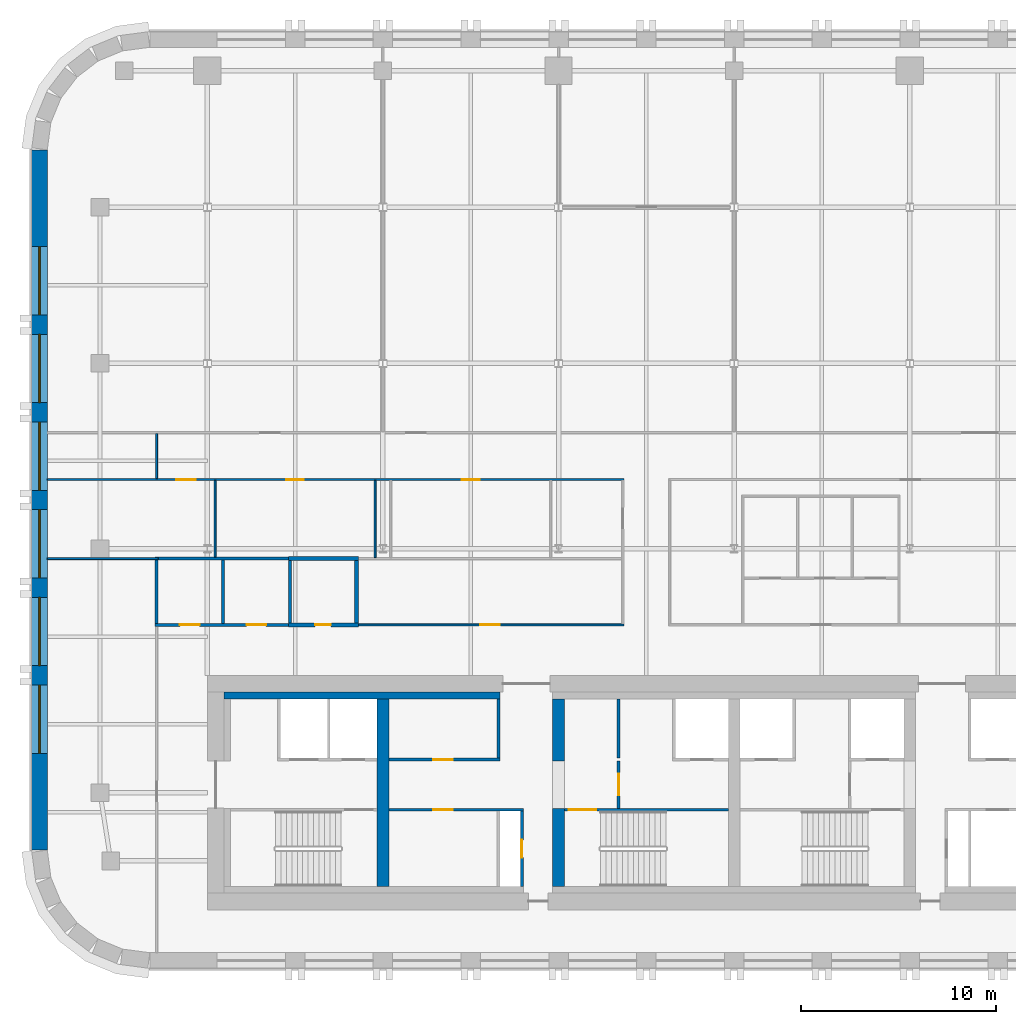
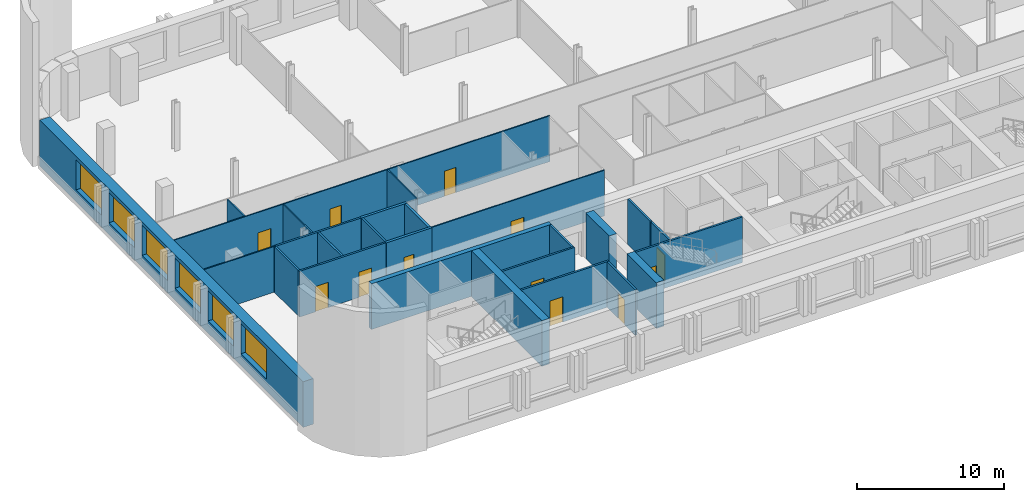
# One storey, part 3 of 9: 26 walls, 12 doors, 6 windows, 18 openings.
"""IFC4 building model written with IfcOpenShell, lengths in metres."""

from ifc_helpers import new_model, si_unit, direction, frame, frame_2d, origin, place, context, subcontext, project, spatial, rectangle, extrude, material, layer, layer_set, type_object, element, fill, save


model = new_model("IFC4")

# Units and contexts
model_context = context("Model", 3, precision=1e-05, world=origin(), true_north=direction((0.0, 1.0)))
body_context = subcontext(model_context, "Body", "Model", "MODEL_VIEW")
ifc_project = project(units=[si_unit("LENGTHUNIT", "METRE"), si_unit("AREAUNIT", "SQUARE_METRE"), si_unit("VOLUMEUNIT", "CUBIC_METRE"), si_unit("PLANEANGLEUNIT", "RADIAN"), si_unit("MASSUNIT", "GRAM", prefix="KILO")], contexts=[model_context])

# Site, building, storey
site_placement = place(None, origin())
site = spatial("IfcSite", under=ifc_project, at=site_placement, CompositionType="ELEMENT")
building_placement = place(site_placement, origin())
building = spatial("IfcBuilding", under=site, at=building_placement, Name="Zellij Exchange Tower", CompositionType="ELEMENT")
storey_placement = place(building_placement, frame((0.0, 0.0, 200.5)))
storey = spatial("IfcBuildingStorey", under=building, at=storey_placement, Name="L46", CompositionType="ELEMENT", Elevation=200.5)

# Walls
ifc_material_1 = material(Name="Concrete C60/75", Category="concrete")
ifc_layer_1 = layer(ifc_material_1, 0.60009765625)
ifc_layer_set_1 = layer_set([ifc_layer_1], Name="Concrete C60/75")
wall_type_1 = type_object("IfcWallType", Name="CORE-CW 600 C60/75", PredefinedType="SHEAR", material=ifc_layer_set_1)
wall_1_placement = place(storey_placement, frame((-18.0, -12.800048828125, 0.0), z_axis=(0.0, 0.0, 1.0), x_axis=(0.0, 1.0, 0.0)))
element("IfcWall", 1, at=wall_1_placement, inside=storey, type_object=wall_type_1, Name="Core cross wall x -18 L46", PredefinedType="SHEAR", context=body_context, shape_type="SweptSolid", body=[
    extrude(rectangle(XDim=9.60009765625, YDim=0.60009765625, at=frame_2d((4.800048828125, 0.0))), origin(), (0.0, 0.0, 1.0), 3.800048828125),
])
wall_2_placement = place(storey_placement, frame((-9.0, -12.800048828125, 0.0), z_axis=(0.0, 0.0, 1.0), x_axis=(0.0, 1.0, 0.0)))
element("IfcWall", 2, at=wall_2_placement, inside=storey, type_object=wall_type_1, Name="Core cross wall pier x -9 a L46", PredefinedType="SHEAR", context=body_context, shape_type="SweptSolid", body=[
    extrude(rectangle(XDim=4.0, YDim=0.60009765625, at=frame_2d((2.0, 0.0))), origin(), (0.0, 0.0, 1.0), 3.800048828125),
])
wall_3_placement = place(storey_placement, frame((-9.0, -6.375, 0.0), z_axis=(0.0, 0.0, 1.0), x_axis=(0.0, 1.0, 0.0)))
element("IfcWall", 3, at=wall_3_placement, inside=storey, type_object=wall_type_1, Name="Core cross wall pier x -9 b L46", PredefinedType="SHEAR", context=body_context, shape_type="SweptSolid", body=[
    extrude(rectangle(XDim=3.175048828125, YDim=0.60009765625, at=frame_2d((1.58740234375, 0.0))), origin(), (0.0, 0.0, 1.0), 3.800048828125),
])
ifc_material_2 = material(Name="Concrete C30/37", Category="concrete")
ifc_layer_2 = layer(ifc_material_2, 0.35009765625)
ifc_layer_set_2 = layer_set([ifc_layer_2], Name="Concrete C30/37")
wall_type_2 = type_object("IfcWallType", Name="CORE-LW 350 C30/37", PredefinedType="SHEAR", material=ifc_layer_set_2)
wall_4_placement = place(storey_placement, frame((-26.14990234375, -3.02490234375, 0.0), z_axis=(0.0, 0.0, 1.0), x_axis=(1.0, 0.0, 0.0)))
element("IfcWall", 4, at=wall_4_placement, inside=storey, type_object=wall_type_2, Name="Core wall lining front.0 L46", PredefinedType="SHEAR", context=body_context, shape_type="SweptSolid", body=[
    extrude(rectangle(XDim=14.14990234375, YDim=0.35009765625, at=frame_2d((7.074951171875, 0.0))), origin(), (0.0, 0.0, 1.0), 3.800048828125),
])

# Wall, opening, door
ifc_material_3 = material(Name="Gypsum shaft wall system")
ifc_layer_3 = layer(ifc_material_3, 0.14990234375)
ifc_layer_set_3 = layer_set([ifc_layer_3], Name="Gypsum shaft wall system")
wall_type_3 = type_object("IfcWallType", Name="CORE-PW 150 Firefighting lobby wall", PredefinedType="PARTITIONING", material=ifc_layer_set_3)
wall_5_placement = place(storey_placement, frame((-5.925048828125, -8.800048828125, 0.0), z_axis=(0.0, 0.0, 1.0), x_axis=(0.0, 1.0, 0.0)))
wall_5 = element("IfcWall", 5, at=wall_5_placement, inside=storey, type_object=wall_type_3, Name="Firefighting lobby wall L46", PredefinedType="PARTITIONING", context=body_context, shape_type="SweptSolid", body=[
    extrude(rectangle(XDim=2.425048828125, YDim=0.14990234375, at=frame_2d((1.21240234375, 0.0))), origin(), (0.0, 0.0, 1.0), 3.800048828125),
])
opening_1_placement = place(wall_5_placement, frame((0.662109375, 0.0, 0.0)))
opening_1 = element("IfcOpeningElement", 6, at=opening_1_placement, cuts=wall_5, Name="Opening CA-24.11", PredefinedType="OPENING", context=body_context, shape_type="SweptSolid", body=[
    extrude(rectangle(XDim=1.10009765625, YDim=2.10009765625, at=frame_2d((0.550048828125, 1.050048828125))), frame((0.0, 0.0869140625, 0.0), z_axis=(0.0, -1.0, 0.0), x_axis=(1.0, 0.0, 0.0)), (0.0, 0.0, 1.0), 0.173828125),
])
ifc_material_4 = material(Name="Hollow metal fire door")
door_type_1 = type_object("IfcDoorType", Name="CORE-D F Firefighting lobby door 1100x2100 1 HR", OperationType="NOTDEFINED", PredefinedType="DOOR", material=ifc_material_4)
door_1_placement = place(opening_1_placement, origin())
door_1 = element("IfcDoor", 7, at=door_1_placement, inside=storey, type_object=door_type_1, Name="Firefighting lobby door CA-24.11", OperationType="SINGLE_SWING_LEFT", OverallHeight=2.10009765625, OverallWidth=1.10009765625, PredefinedType="DOOR", context=body_context, shape_type="SweptSolid", body=[
    extrude(rectangle(XDim=1.10009765625, YDim=2.10009765625, at=frame_2d((0.550048828125, 1.050048828125))), frame((0.0, 0.02490234375, 0.0), z_axis=(0.0, -1.0, 0.0), x_axis=(1.0, 0.0, 0.0)), (0.0, 0.0, 1.0), 0.050048828125),
])
fill(opening_1, door_1)

# Walls
ifc_material_5 = material(Name="Gypsum board partition")
ifc_layer_4 = layer(ifc_material_5, 0.14990234375)
ifc_layer_set_4 = layer_set([ifc_layer_4], Name="Gypsum board partition")
wall_type_4 = type_object("IfcWallType", Name="CORE-PW 150 Lift lobby wall", PredefinedType="PARTITIONING", material=ifc_layer_set_4)
for number, where, z_axis, x_axis, name in (
    (8, (-12.074951171875, -6.22509765625, 0.0), (0.0, 0.0, 1.0), (0.0, 1.0, 0.0), "Lift lobby wall L46"),
    (9, (-5.925048828125, -6.22509765625, 0.0), (0.0, 0.0, 1.0), (0.0, 1.0, 0.0), "Lift lobby wall L46"),
):
    element("IfcWall", number, at=place(storey_placement, frame(where, z_axis=z_axis, x_axis=x_axis)), inside=storey, type_object=wall_type_4, Name=name, PredefinedType="PARTITIONING", context=body_context, shape_type="SweptSolid", body=[
        extrude(rectangle(XDim=3.025146484375, YDim=0.14990234375, at=frame_2d((1.5126953125, 0.0))), origin(), (0.0, 0.0, 1.0), 3.800048828125),
    ])

# Wall, opening, door
wall_6_placement = place(storey_placement, frame((-10.875, -12.800048828125, 0.0), z_axis=(0.0, 0.0, 1.0), x_axis=(0.0, 1.0, 0.0)))
wall_6 = element("IfcWall", 10, at=wall_6_placement, inside=storey, type_object=wall_type_4, Name="Lift lobby wall L46", PredefinedType="PARTITIONING", context=body_context, shape_type="SweptSolid", body=[
    extrude(rectangle(XDim=3.85009765625, YDim=0.14990234375, at=frame_2d((1.925048828125, 0.0))), origin(), (0.0, 0.0, 1.0), 3.800048828125),
])
opening_2_placement = place(wall_6_placement, frame((1.47509765625, 0.0, 0.0)))
opening_2 = element("IfcOpeningElement", 11, at=opening_2_placement, cuts=wall_6, Name="Opening CA-24.07", PredefinedType="OPENING", context=body_context, shape_type="SweptSolid", body=[
    extrude(rectangle(XDim=0.89990234375, YDim=2.10009765625, at=frame_2d((0.449951171875, 1.050048828125))), frame((0.0, 0.0869140625, 0.0), z_axis=(0.0, -1.0, 0.0), x_axis=(1.0, 0.0, 0.0)), (0.0, 0.0, 1.0), 0.173828125),
])
door_type_2 = type_object("IfcDoorType", Name="CORE-D RD Riser door 900x2100 1.5 HR", OperationType="NOTDEFINED", PredefinedType="DOOR", material=ifc_material_4)
door_2_placement = place(opening_2_placement, origin())
door_2 = element("IfcDoor", 12, at=door_2_placement, inside=storey, type_object=door_type_2, Name="Riser door CA-24.07", OperationType="SINGLE_SWING_RIGHT", OverallHeight=2.10009765625, OverallWidth=0.89990234375, PredefinedType="DOOR", context=body_context, shape_type="SweptSolid", body=[
    extrude(rectangle(XDim=0.89990234375, YDim=2.10009765625, at=frame_2d((0.449951171875, 1.050048828125))), frame((0.0, 0.02490234375, 0.0), z_axis=(0.0, -1.0, 0.0), x_axis=(1.0, 0.0, 0.0)), (0.0, 0.0, 1.0), 0.050048828125),
])
fill(opening_2, door_2)

wall_7_placement = place(storey_placement, frame((-17.699951171875, -6.300048828125, 0.0), z_axis=(0.0, 0.0, 1.0), x_axis=(1.0, 0.0, 0.0)))
wall_7 = element("IfcWall", 13, at=wall_7_placement, inside=storey, type_object=wall_type_4, Name="Lift lobby wall L46", PredefinedType="PARTITIONING", context=body_context, shape_type="SweptSolid", body=[
    extrude(rectangle(XDim=5.699951171875, YDim=0.14990234375, at=frame_2d((2.85009765625, 0.0))), origin(), (0.0, 0.0, 1.0), 3.800048828125),
])
opening_3_placement = place(wall_7_placement, frame((2.27490234375, 0.0, 0.0)))
opening_3 = element("IfcOpeningElement", 14, at=opening_3_placement, cuts=wall_7, Name="Opening CA-24.06", PredefinedType="OPENING", context=body_context, shape_type="SweptSolid", body=[
    extrude(rectangle(XDim=1.0, YDim=2.10009765625, at=frame_2d((0.5, 1.050048828125))), frame((0.0, 0.0869140625, 0.0), z_axis=(0.0, -1.0, 0.0), x_axis=(1.0, 0.0, 0.0)), (0.0, 0.0, 1.0), 0.173828125),
])
door_type_3 = type_object("IfcDoorType", Name="CORE-D CD Core room door 1000x2100 1 HR", OperationType="NOTDEFINED", PredefinedType="DOOR", material=ifc_material_4)
door_3_placement = place(opening_3_placement, origin())
door_3 = element("IfcDoor", 15, at=door_3_placement, inside=storey, type_object=door_type_3, Name="Core room door CA-24.06", OperationType="SINGLE_SWING_LEFT", OverallHeight=2.10009765625, OverallWidth=1.0, PredefinedType="DOOR", context=body_context, shape_type="SweptSolid", body=[
    extrude(rectangle(XDim=1.0, YDim=2.10009765625, at=frame_2d((0.5, 1.050048828125))), frame((0.0, 0.02490234375, 0.0), z_axis=(0.0, -1.0, 0.0), x_axis=(1.0, 0.0, 0.0)), (0.0, 0.0, 1.0), 0.050048828125),
])
fill(opening_3, door_3)

wall_8_placement = place(storey_placement, frame((-17.699951171875, -8.875, 0.0), z_axis=(0.0, 0.0, 1.0), x_axis=(1.0, 0.0, 0.0)))
wall_8 = element("IfcWall", 16, at=wall_8_placement, inside=storey, type_object=wall_type_4, Name="Lift lobby wall L46", PredefinedType="PARTITIONING", context=body_context, shape_type="SweptSolid", body=[
    extrude(rectangle(XDim=6.89990234375, YDim=0.14990234375, at=frame_2d((3.449951171875, 0.0))), origin(), (0.0, 0.0, 1.0), 3.800048828125),
])
opening_4_placement = place(wall_8_placement, frame((2.27490234375, 0.0, 0.0)))
opening_4 = element("IfcOpeningElement", 17, at=opening_4_placement, cuts=wall_8, Name="Opening CA-24.05", PredefinedType="OPENING", context=body_context, shape_type="SweptSolid", body=[
    extrude(rectangle(XDim=1.0, YDim=2.10009765625, at=frame_2d((0.5, 1.050048828125))), frame((0.0, 0.0869140625, 0.0), z_axis=(0.0, -1.0, 0.0), x_axis=(1.0, 0.0, 0.0)), (0.0, 0.0, 1.0), 0.173828125),
])
door_4_placement = place(opening_4_placement, origin())
door_4 = element("IfcDoor", 18, at=door_4_placement, inside=storey, type_object=door_type_3, Name="Core room door CA-24.05", OperationType="SINGLE_SWING_RIGHT", OverallHeight=2.10009765625, OverallWidth=1.0, PredefinedType="DOOR", context=body_context, shape_type="SweptSolid", body=[
    extrude(rectangle(XDim=1.0, YDim=2.10009765625, at=frame_2d((0.5, 1.050048828125))), frame((0.0, 0.02490234375, 0.0), z_axis=(0.0, -1.0, 0.0), x_axis=(1.0, 0.0, 0.0)), (0.0, 0.0, 1.0), 0.050048828125),
])
fill(opening_4, door_4)

ifc_layer_5 = layer(ifc_material_1, 0.14990234375)
ifc_layer_set_5 = layer_set([ifc_layer_5], Name="Concrete C60/75")
wall_type_5 = type_object("IfcWallType", Name="CORE-SWS 150 C60/75", PredefinedType="SHEAR", material=ifc_layer_set_5)
wall_9_placement = place(storey_placement, frame((-8.699951171875, -8.875, 0.0), z_axis=(0.0, 0.0, 1.0), x_axis=(1.0, 0.0, 0.0)))
wall_9 = element("IfcWall", 19, at=wall_9_placement, inside=storey, type_object=wall_type_5, Name="Stair enclosure wall L46", PredefinedType="SHEAR", context=body_context, shape_type="SweptSolid", body=[
    extrude(rectangle(XDim=8.39990234375, YDim=0.14990234375, at=frame_2d((4.199951171875, 0.0))), origin(), (0.0, 0.0, 1.0), 3.800048828125),
])
opening_5_placement = place(wall_9_placement, frame((0.22509765625, 0.0, 0.0)))
opening_5 = element("IfcOpeningElement", 20, at=opening_5_placement, cuts=wall_9, Name="Opening CA-24.10", PredefinedType="OPENING", context=body_context, shape_type="SweptSolid", body=[
    extrude(rectangle(XDim=1.39990234375, YDim=2.10009765625, at=frame_2d((0.699951171875, 1.050048828125))), frame((0.0, 0.0869140625, 0.0), z_axis=(0.0, -1.0, 0.0), x_axis=(1.0, 0.0, 0.0)), (0.0, 0.0, 1.0), 0.173828125),
])
door_type_4 = type_object("IfcDoorType", Name="CORE-D SD Stair door 1400x2100 1.5 HR", OperationType="NOTDEFINED", PredefinedType="DOOR", material=ifc_material_4)
door_5_placement = place(opening_5_placement, origin())
door_5 = element("IfcDoor", 21, at=door_5_placement, inside=storey, type_object=door_type_4, Name="Stair door CA-24.10", OperationType="DOUBLE_DOOR_SINGLE_SWING", OverallHeight=2.10009765625, OverallWidth=1.39990234375, PredefinedType="DOOR", context=body_context, shape_type="SweptSolid", body=[
    extrude(rectangle(XDim=1.39990234375, YDim=2.10009765625, at=frame_2d((0.699951171875, 1.050048828125))), frame((0.0, 0.02490234375, 0.0), z_axis=(0.0, -1.0, 0.0), x_axis=(1.0, 0.0, 0.0)), (0.0, 0.0, 1.0), 0.050048828125),
])
fill(opening_5, door_5)

# Wall, openings, windows
ifc_material_6 = material(Name="Precast concrete C40/50", Category="concrete")
ifc_layer_6 = layer(ifc_material_6, 0.800048828125)
ifc_layer_set_6 = layer_set([ifc_layer_6], Name="Precast concrete C40/50")
wall_type_6 = type_object("IfcWallType", Name="ENV-EW1 Precast stone-piered wall 800", PredefinedType="SOLIDWALL", material=ifc_layer_set_6)
wall_10_placement = place(storey_placement, frame((-35.60009765625, 24.947509765625, 0.0), z_axis=(0.0, 0.0, 1.0), x_axis=(0.0, -1.0, 0.0)))
wall_10 = element("IfcWall", 22, at=wall_10_placement, inside=storey, type_object=wall_type_6, Name="fac.L46.21", PredefinedType="SOLIDWALL", context=body_context, shape_type="SweptSolid", body=[
    extrude(rectangle(XDim=35.89501953125, YDim=0.800048828125, at=frame_2d((17.947509765625, 0.0))), origin(), (0.0, 0.0, 1.0), 3.800048828125),
])
opening_6_placement = place(wall_10_placement, frame((4.9638671875, 0.0, 1.0)))
opening_6 = element("IfcOpeningElement", 23, at=opening_6_placement, cuts=wall_10, Name="Opening FZ3.31", PredefinedType="OPENING", context=body_context, shape_type="SweptSolid", body=[
    extrude(rectangle(XDim=3.5, YDim=2.5, at=frame_2d((1.75, 1.25))), frame((0.0, 0.412109375, 0.0), z_axis=(0.0, -1.0, 0.0), x_axis=(1.0, 0.0, 0.0)), (0.0, 0.0, 1.0), 0.823974609375),
])
opening_7_placement = place(wall_10_placement, frame((9.45751953125, 0.0, 1.0)))
opening_7 = element("IfcOpeningElement", 24, at=opening_7_placement, cuts=wall_10, Name="Opening FZ3.32", PredefinedType="OPENING", context=body_context, shape_type="SweptSolid", body=[
    extrude(rectangle(XDim=3.5, YDim=2.5, at=frame_2d((1.75, 1.25))), frame((0.0, 0.412109375, 0.0), z_axis=(0.0, -1.0, 0.0), x_axis=(1.0, 0.0, 0.0)), (0.0, 0.0, 1.0), 0.823974609375),
])
opening_8_placement = place(wall_10_placement, frame((13.950927734375, 0.0, 1.0)))
opening_8 = element("IfcOpeningElement", 25, at=opening_8_placement, cuts=wall_10, Name="Opening FZ3.33", PredefinedType="OPENING", context=body_context, shape_type="SweptSolid", body=[
    extrude(rectangle(XDim=3.5, YDim=2.5, at=frame_2d((1.75, 1.25))), frame((0.0, 0.412109375, 0.0), z_axis=(0.0, -1.0, 0.0), x_axis=(1.0, 0.0, 0.0)), (0.0, 0.0, 1.0), 0.823974609375),
])
opening_9_placement = place(wall_10_placement, frame((18.4443359375, 0.0, 1.0)))
opening_9 = element("IfcOpeningElement", 26, at=opening_9_placement, cuts=wall_10, Name="Opening FZ3.34", PredefinedType="OPENING", context=body_context, shape_type="SweptSolid", body=[
    extrude(rectangle(XDim=3.5, YDim=2.5, at=frame_2d((1.75, 1.25))), frame((0.0, 0.412109375, 0.0), z_axis=(0.0, -1.0, 0.0), x_axis=(1.0, 0.0, 0.0)), (0.0, 0.0, 1.0), 0.823974609375),
])
opening_10_placement = place(wall_10_placement, frame((22.937744140625, 0.0, 1.0)))
opening_10 = element("IfcOpeningElement", 27, at=opening_10_placement, cuts=wall_10, Name="Opening FZ3.35", PredefinedType="OPENING", context=body_context, shape_type="SweptSolid", body=[
    extrude(rectangle(XDim=3.5, YDim=2.5, at=frame_2d((1.75, 1.25))), frame((0.0, 0.412109375, 0.0), z_axis=(0.0, -1.0, 0.0), x_axis=(1.0, 0.0, 0.0)), (0.0, 0.0, 1.0), 0.823974609375),
])
opening_11_placement = place(wall_10_placement, frame((27.43115234375, 0.0, 1.0)))
opening_11 = element("IfcOpeningElement", 28, at=opening_11_placement, cuts=wall_10, Name="Opening FZ3.36", PredefinedType="OPENING", context=body_context, shape_type="SweptSolid", body=[
    extrude(rectangle(XDim=3.5, YDim=2.5, at=frame_2d((1.75, 1.25))), frame((0.0, 0.412109375, 0.0), z_axis=(0.0, -1.0, 0.0), x_axis=(1.0, 0.0, 0.0)), (0.0, 0.0, 1.0), 0.823974609375),
])
ifc_material_7 = material(Name="Aluminium frame with insulating glass", Category="aluminium")
window_type = type_object("IfcWindowType", Name="ENV-W1 Window 3500x2500", PartitioningType="SINGLE_PANEL", PredefinedType="WINDOW", material=ifc_material_7)
window_1_placement = place(opening_6_placement, origin())
window_1 = element("IfcWindow", 29, at=window_1_placement, inside=storey, type_object=window_type, Name="Window FZ3.31", OverallHeight=2.5, OverallWidth=3.5, PartitioningType="SINGLE_PANEL", PredefinedType="WINDOW", context=body_context, shape_type="SweptSolid", body=[
    extrude(rectangle(XDim=3.5, YDim=2.5, at=frame_2d((1.75, 1.25))), frame((0.0, 0.030029296875, 0.0), z_axis=(0.0, -1.0, 0.0), x_axis=(1.0, 0.0, 0.0)), (0.0, 0.0, 1.0), 0.06005859375),
])
fill(opening_6, window_1)
window_2_placement = place(opening_7_placement, origin())
window_2 = element("IfcWindow", 30, at=window_2_placement, inside=storey, type_object=window_type, Name="Window FZ3.32", OverallHeight=2.5, OverallWidth=3.5, PartitioningType="SINGLE_PANEL", PredefinedType="WINDOW", context=body_context, shape_type="SweptSolid", body=[
    extrude(rectangle(XDim=3.5, YDim=2.5, at=frame_2d((1.75, 1.25))), frame((0.0, 0.030029296875, 0.0), z_axis=(0.0, -1.0, 0.0), x_axis=(1.0, 0.0, 0.0)), (0.0, 0.0, 1.0), 0.06005859375),
])
fill(opening_7, window_2)
window_3_placement = place(opening_8_placement, origin())
window_3 = element("IfcWindow", 31, at=window_3_placement, inside=storey, type_object=window_type, Name="Window FZ3.33", OverallHeight=2.5, OverallWidth=3.5, PartitioningType="SINGLE_PANEL", PredefinedType="WINDOW", context=body_context, shape_type="SweptSolid", body=[
    extrude(rectangle(XDim=3.5, YDim=2.5, at=frame_2d((1.75, 1.25))), frame((0.0, 0.030029296875, 0.0), z_axis=(0.0, -1.0, 0.0), x_axis=(1.0, 0.0, 0.0)), (0.0, 0.0, 1.0), 0.06005859375),
])
fill(opening_8, window_3)
window_4_placement = place(opening_9_placement, origin())
window_4 = element("IfcWindow", 32, at=window_4_placement, inside=storey, type_object=window_type, Name="Window FZ3.34", OverallHeight=2.5, OverallWidth=3.5, PartitioningType="SINGLE_PANEL", PredefinedType="WINDOW", context=body_context, shape_type="SweptSolid", body=[
    extrude(rectangle(XDim=3.5, YDim=2.5, at=frame_2d((1.75, 1.25))), frame((0.0, 0.030029296875, 0.0), z_axis=(0.0, -1.0, 0.0), x_axis=(1.0, 0.0, 0.0)), (0.0, 0.0, 1.0), 0.06005859375),
])
fill(opening_9, window_4)
window_5_placement = place(opening_10_placement, origin())
window_5 = element("IfcWindow", 33, at=window_5_placement, inside=storey, type_object=window_type, Name="Window FZ3.35", OverallHeight=2.5, OverallWidth=3.5, PartitioningType="SINGLE_PANEL", PredefinedType="WINDOW", context=body_context, shape_type="SweptSolid", body=[
    extrude(rectangle(XDim=3.5, YDim=2.5, at=frame_2d((1.75, 1.25))), frame((0.0, 0.030029296875, 0.0), z_axis=(0.0, -1.0, 0.0), x_axis=(1.0, 0.0, 0.0)), (0.0, 0.0, 1.0), 0.06005859375),
])
fill(opening_10, window_5)
window_6_placement = place(opening_11_placement, origin())
window_6 = element("IfcWindow", 34, at=window_6_placement, inside=storey, type_object=window_type, Name="Window FZ3.36", OverallHeight=2.5, OverallWidth=3.5, PartitioningType="SINGLE_PANEL", PredefinedType="WINDOW", context=body_context, shape_type="SweptSolid", body=[
    extrude(rectangle(XDim=3.5, YDim=2.5, at=frame_2d((1.75, 1.25))), frame((0.0, 0.030029296875, 0.0), z_axis=(0.0, -1.0, 0.0), x_axis=(1.0, 0.0, 0.0)), (0.0, 0.0, 1.0), 0.06005859375),
])
fill(opening_11, window_6)

# Wall, opening, door
ifc_material_8 = material(Name="Blockwork partition", Category="masonry")
ifc_layer_7 = layer(ifc_material_8, 0.199951171875)
ifc_layer_set_7 = layer_set([ifc_layer_7], Name="Blockwork partition")
wall_type_7 = type_object("IfcWallType", Name="FIT-BLOCKWORK-200", PredefinedType="PARTITIONING", material=ifc_layer_set_7)
wall_11_placement = place(storey_placement, frame((-22.844970703125, 0.60009765625, 0.0), z_axis=(0.0, 0.0, 1.0), x_axis=(1.0, 0.0, 0.0)))
wall_11 = element("IfcWall", 35, at=wall_11_placement, inside=storey, type_object=wall_type_7, Name="FIT-BLOCKWORK-200 008", PredefinedType="PARTITIONING", context=body_context, shape_type="SweptSolid", body=[
    extrude(rectangle(XDim=3.5849609375, YDim=0.199951171875, at=frame_2d((1.79248046875, 0.0))), origin(), (0.0, 0.0, 1.0), 3.800048828125),
])
opening_12_placement = place(wall_11_placement, frame((1.3740234375, 0.0, 0.0)))
opening_12 = element("IfcOpeningElement", 36, at=opening_12_placement, cuts=wall_11, Name="Opening O3D.06", PredefinedType="OPENING", context=body_context, shape_type="SweptSolid", body=[
    extrude(rectangle(XDim=0.800048828125, YDim=2.10009765625, at=frame_2d((0.39990234375, 1.050048828125))), frame((0.0, 0.11181640625, 0.0), z_axis=(0.0, -1.0, 0.0), x_axis=(1.0, 0.0, 0.0)), (0.0, 0.0, 1.0), 0.223876953125),
])
ifc_material_9 = material(Name="Timber door set", Category="wood")
door_type_5 = type_object("IfcDoorType", Name="FIT-D6-SERVICE-800X2100", OperationType="SINGLE_SWING_LEFT", PredefinedType="DOOR", material=ifc_material_9)
door_6_placement = place(opening_12_placement, origin())
door_6 = element("IfcDoor", 37, at=door_6_placement, inside=storey, type_object=door_type_5, Name="Door O3D.06", OperationType="SINGLE_SWING_RIGHT", OverallHeight=2.10009765625, OverallWidth=0.800048828125, PredefinedType="DOOR", context=body_context, shape_type="SweptSolid", body=[
    extrude(rectangle(XDim=0.800048828125, YDim=2.10009765625, at=frame_2d((0.39990234375, 1.050048828125))), frame((0.0, 0.02490234375, 0.0), z_axis=(0.0, -1.0, 0.0), x_axis=(1.0, 0.0, 0.0)), (0.0, 0.0, 1.0), 0.050048828125),
])
fill(opening_12, door_6)

# Walls
wall_12_placement = place(storey_placement, frame((-19.360107421875, 0.699951171875, 0.0), z_axis=(0.0, 0.0, 1.0), x_axis=(0.0, 1.0, 0.0)))
element("IfcWall", 38, at=wall_12_placement, inside=storey, type_object=wall_type_7, Name="FIT-BLOCKWORK-200 011", PredefinedType="PARTITIONING", context=body_context, shape_type="SweptSolid", body=[
    extrude(rectangle(XDim=3.199951171875, YDim=0.199951171875, at=frame_2d((1.60009765625, 0.0))), origin(), (0.0, 0.0, 1.0), 3.800048828125),
])
wall_13_placement = place(storey_placement, frame((-22.844970703125, 4.0, 0.0), z_axis=(0.0, 0.0, 1.0), x_axis=(1.0, 0.0, 0.0)))
element("IfcWall", 39, at=wall_13_placement, inside=storey, type_object=wall_type_7, Name="FIT-BLOCKWORK-200 026", PredefinedType="PARTITIONING", context=body_context, shape_type="SweptSolid", body=[
    extrude(rectangle(XDim=3.5849609375, YDim=0.199951171875, at=frame_2d((1.79248046875, 0.0))), origin(), (0.0, 0.0, 1.0), 3.800048828125),
])

# Wall, opening, door
ifc_material_10 = material(Name="Gypsum board partition on steel studs", Category="steel")
ifc_layer_8 = layer(ifc_material_10, 0.10009765625)
ifc_layer_set_8 = layer_set([ifc_layer_8], Name="Gypsum board partition on steel studs")
wall_type_8 = type_object("IfcWallType", Name="FIT-PARTITION-100", PredefinedType="PARTITIONING", material=ifc_layer_set_8)
wall_14_placement = place(storey_placement, frame((-19.4599609375, 0.60009765625, 0.0), z_axis=(0.0, 0.0, 1.0), x_axis=(1.0, 0.0, 0.0)))
wall_14 = element("IfcWall", 40, at=wall_14_placement, inside=storey, type_object=wall_type_8, Name="FIT-PARTITION-100 010", PredefinedType="PARTITIONING", context=body_context, shape_type="SweptSolid", body=[
    extrude(rectangle(XDim=13.81005859375, YDim=0.10009765625, at=frame_2d((6.905029296875, 0.0))), origin(), (0.0, 0.0, 1.0), 3.800048828125),
])
opening_13_placement = place(wall_14_placement, frame((6.452880859375, 0.0, 0.0)))
opening_13 = element("IfcOpeningElement", 41, at=opening_13_placement, cuts=wall_14, Name="Opening O3D.07", PredefinedType="OPENING", context=body_context, shape_type="SweptSolid", body=[
    extrude(rectangle(XDim=1.0, YDim=2.10009765625, at=frame_2d((0.5, 1.050048828125))), frame((0.0, 0.06201171875, 0.0), z_axis=(0.0, -1.0, 0.0), x_axis=(1.0, 0.0, 0.0)), (0.0, 0.0, 1.0), 0.1240234375),
])
door_type_6 = type_object("IfcDoorType", Name="FIT-D2-WIDE-1000X2100", OperationType="SINGLE_SWING_LEFT", PredefinedType="DOOR", material=ifc_material_9)
door_7_placement = place(opening_13_placement, origin())
door_7 = element("IfcDoor", 42, at=door_7_placement, inside=storey, type_object=door_type_6, Name="Door O3D.07", OperationType="SINGLE_SWING_LEFT", OverallHeight=2.10009765625, OverallWidth=1.0, PredefinedType="DOOR", context=body_context, shape_type="SweptSolid", body=[
    extrude(rectangle(XDim=1.0, YDim=2.10009765625, at=frame_2d((0.5, 1.050048828125))), frame((0.0, 0.02490234375, 0.0), z_axis=(0.0, -1.0, 0.0), x_axis=(1.0, 0.0, 0.0)), (0.0, 0.0, 1.0), 0.050048828125),
])
fill(opening_13, door_7)

# Walls
wall_15_placement = place(storey_placement, frame((-35.199951171875, 4.0, 0.0), z_axis=(0.0, 0.0, 1.0), x_axis=(1.0, 0.0, 0.0)))
element("IfcWall", 43, at=wall_15_placement, inside=storey, type_object=wall_type_8, Name="FIT-PARTITION-100 023", PredefinedType="PARTITIONING", context=body_context, shape_type="SweptSolid", body=[
    extrude(rectangle(XDim=5.675048828125, YDim=0.10009765625, at=frame_2d((2.83740234375, 0.0))), origin(), (0.0, 0.0, 1.0), 3.800048828125),
])
wall_16_placement = place(storey_placement, frame((-26.60009765625, 4.074951171875, 0.0), z_axis=(0.0, 0.0, 1.0), x_axis=(0.0, 1.0, 0.0)))
element("IfcWall", 44, at=wall_16_placement, inside=storey, type_object=wall_type_8, Name="FIT-PARTITION-100 025", PredefinedType="PARTITIONING", context=body_context, shape_type="SweptSolid", body=[
    extrude(rectangle(XDim=3.925048828125, YDim=0.10009765625, at=frame_2d((1.96240234375, 0.0))), origin(), (0.0, 0.0, 1.0), 3.800048828125),
])
wall_17_placement = place(storey_placement, frame((-18.39990234375, 4.050048828125, 0.0), z_axis=(0.0, 0.0, 1.0), x_axis=(0.0, 1.0, 0.0)))
element("IfcWall", 45, at=wall_17_placement, inside=storey, type_object=wall_type_8, Name="FIT-PARTITION-100 028", PredefinedType="PARTITIONING", context=body_context, shape_type="SweptSolid", body=[
    extrude(rectangle(XDim=3.949951171875, YDim=0.10009765625, at=frame_2d((1.97509765625, 0.0))), origin(), (0.0, 0.0, 1.0), 3.800048828125),
])

# Wall, openings, doors
wall_18_placement = place(storey_placement, frame((-35.199951171875, 8.050048828125, 0.0), z_axis=(0.0, 0.0, 1.0), x_axis=(1.0, 0.0, 0.0)))
wall_18 = element("IfcWall", 46, at=wall_18_placement, inside=storey, type_object=wall_type_8, Name="FIT-PARTITION-100 032", PredefinedType="PARTITIONING", context=body_context, shape_type="SweptSolid", body=[
    extrude(rectangle(XDim=29.550048828125, YDim=0.10009765625, at=frame_2d((14.77490234375, 0.0))), origin(), (0.0, 0.0, 1.0), 3.800048828125),
])
opening_14_placement = place(wall_18_placement, frame((6.60009765625, 0.0, 0.0)))
opening_14 = element("IfcOpeningElement", 47, at=opening_14_placement, cuts=wall_18, Name="Opening O3D.14", PredefinedType="OPENING", context=body_context, shape_type="SweptSolid", body=[
    extrude(rectangle(XDim=1.0, YDim=2.10009765625, at=frame_2d((0.5, 1.050048828125))), frame((0.0, 0.06201171875, 0.0), z_axis=(0.0, -1.0, 0.0), x_axis=(1.0, 0.0, 0.0)), (0.0, 0.0, 1.0), 0.1240234375),
])
opening_15_placement = place(wall_18_placement, frame((12.25, 0.0, 0.0)))
opening_15 = element("IfcOpeningElement", 48, at=opening_15_placement, cuts=wall_18, Name="Opening O3D.15", PredefinedType="OPENING", context=body_context, shape_type="SweptSolid", body=[
    extrude(rectangle(XDim=0.89990234375, YDim=2.10009765625, at=frame_2d((0.449951171875, 1.050048828125))), frame((0.0, 0.06201171875, 0.0), z_axis=(0.0, -1.0, 0.0), x_axis=(1.0, 0.0, 0.0)), (0.0, 0.0, 1.0), 0.1240234375),
])
opening_16_placement = place(wall_18_placement, frame((21.25, 0.0, 0.0)))
opening_16 = element("IfcOpeningElement", 49, at=opening_16_placement, cuts=wall_18, Name="Opening O3D.16", PredefinedType="OPENING", context=body_context, shape_type="SweptSolid", body=[
    extrude(rectangle(XDim=0.89990234375, YDim=2.10009765625, at=frame_2d((0.449951171875, 1.050048828125))), frame((0.0, 0.06201171875, 0.0), z_axis=(0.0, -1.0, 0.0), x_axis=(1.0, 0.0, 0.0)), (0.0, 0.0, 1.0), 0.1240234375),
])
door_type_7 = type_object("IfcDoorType", Name="FIT-D1-ROOM-900X2100", OperationType="SINGLE_SWING_LEFT", PredefinedType="DOOR", material=ifc_material_9)
door_8_placement = place(opening_15_placement, origin())
door_8 = element("IfcDoor", 50, at=door_8_placement, inside=storey, type_object=door_type_7, Name="Door O3D.15", OperationType="SINGLE_SWING_LEFT", OverallHeight=2.10009765625, OverallWidth=0.89990234375, PredefinedType="DOOR", context=body_context, shape_type="SweptSolid", body=[
    extrude(rectangle(XDim=0.89990234375, YDim=2.10009765625, at=frame_2d((0.449951171875, 1.050048828125))), frame((0.0, 0.02490234375, 0.0), z_axis=(0.0, -1.0, 0.0), x_axis=(1.0, 0.0, 0.0)), (0.0, 0.0, 1.0), 0.050048828125),
])
fill(opening_15, door_8)
door_9_placement = place(opening_16_placement, origin())
door_9 = element("IfcDoor", 51, at=door_9_placement, inside=storey, type_object=door_type_7, Name="Door O3D.16", OperationType="SINGLE_SWING_RIGHT", OverallHeight=2.10009765625, OverallWidth=0.89990234375, PredefinedType="DOOR", context=body_context, shape_type="SweptSolid", body=[
    extrude(rectangle(XDim=0.89990234375, YDim=2.10009765625, at=frame_2d((0.449951171875, 1.050048828125))), frame((0.0, 0.02490234375, 0.0), z_axis=(0.0, -1.0, 0.0), x_axis=(1.0, 0.0, 0.0)), (0.0, 0.0, 1.0), 0.050048828125),
])
fill(opening_16, door_9)
door_10_placement = place(opening_14_placement, origin())
door_10 = element("IfcDoor", 52, at=door_10_placement, inside=storey, type_object=door_type_6, Name="Door O3D.14", OperationType="SINGLE_SWING_LEFT", OverallHeight=2.10009765625, OverallWidth=1.0, PredefinedType="DOOR", context=body_context, shape_type="SweptSolid", body=[
    extrude(rectangle(XDim=1.0, YDim=2.10009765625, at=frame_2d((0.5, 1.050048828125))), frame((0.0, 0.02490234375, 0.0), z_axis=(0.0, -1.0, 0.0), x_axis=(1.0, 0.0, 0.0)), (0.0, 0.0, 1.0), 0.050048828125),
])
fill(opening_14, door_10)

# Wall
wall_19_placement = place(storey_placement, frame((-29.60009765625, 8.10009765625, 0.0), z_axis=(0.0, 0.0, 1.0), x_axis=(0.0, 1.0, 0.0)))
element("IfcWall", 53, at=wall_19_placement, inside=storey, type_object=wall_type_8, Name="FIT-PARTITION-100 033", PredefinedType="PARTITIONING", context=body_context, shape_type="SweptSolid", body=[
    extrude(rectangle(XDim=2.2998046875, YDim=0.10009765625, at=frame_2d((1.14990234375, 0.0))), origin(), (0.0, 0.0, 1.0), 3.800048828125),
])

# Wall, openings, doors
ifc_material_11 = material(Name="Gypsum board shaft-wall partition", Category="gypsum")
ifc_layer_9 = layer(ifc_material_11, 0.14990234375)
ifc_layer_set_9 = layer_set([ifc_layer_9], Name="Gypsum board shaft-wall partition")
wall_type_9 = type_object("IfcWallType", Name="FIT-PARTITION-150-EI60", PredefinedType="PARTITIONING", material=ifc_layer_set_9)
wall_20_placement = place(storey_placement, frame((-29.675048828125, 0.60009765625, 0.0), z_axis=(0.0, 0.0, 1.0), x_axis=(1.0, 0.0, 0.0)))
wall_20 = element("IfcWall", 54, at=wall_20_placement, inside=storey, type_object=wall_type_9, Name="FIT-PARTITION-150-EI60 005", PredefinedType="PARTITIONING", context=body_context, shape_type="SweptSolid", body=[
    extrude(rectangle(XDim=6.97998046875, YDim=0.14990234375, at=frame_2d((3.489990234375, 0.0))), origin(), (0.0, 0.0, 1.0), 3.800048828125),
])
opening_17_placement = place(wall_20_placement, frame((1.27490234375, 0.0, 0.0)))
opening_17 = element("IfcOpeningElement", 55, at=opening_17_placement, cuts=wall_20, Name="Opening O3D.04", PredefinedType="OPENING", context=body_context, shape_type="SweptSolid", body=[
    extrude(rectangle(XDim=1.0, YDim=2.10009765625, at=frame_2d((0.5, 1.050048828125))), frame((0.0, 0.0869140625, 0.0), z_axis=(0.0, -1.0, 0.0), x_axis=(1.0, 0.0, 0.0)), (0.0, 0.0, 1.0), 0.173828125),
])
opening_18_placement = place(wall_20_placement, frame((4.68896484375, 0.0, 0.0)))
opening_18 = element("IfcOpeningElement", 56, at=opening_18_placement, cuts=wall_20, Name="Opening O3D.05", PredefinedType="OPENING", context=body_context, shape_type="SweptSolid", body=[
    extrude(rectangle(XDim=1.0, YDim=2.10009765625, at=frame_2d((0.5, 1.050048828125))), frame((0.0, 0.0869140625, 0.0), z_axis=(0.0, -1.0, 0.0), x_axis=(1.0, 0.0, 0.0)), (0.0, 0.0, 1.0), 0.173828125),
])
ifc_material_12 = material(Name="Steel fire door set", Category="steel")
door_type_8 = type_object("IfcDoorType", Name="FIT-D4-FIRE-1000X2100", OperationType="SINGLE_SWING_LEFT", PredefinedType="DOOR", material=ifc_material_12)
door_11_placement = place(opening_17_placement, origin())
door_11 = element("IfcDoor", 57, at=door_11_placement, inside=storey, type_object=door_type_8, Name="Door O3D.04", OperationType="SINGLE_SWING_LEFT", OverallHeight=2.10009765625, OverallWidth=1.0, PredefinedType="DOOR", context=body_context, shape_type="SweptSolid", body=[
    extrude(rectangle(XDim=1.0, YDim=2.10009765625, at=frame_2d((0.5, 1.050048828125))), frame((0.0, 0.02490234375, 0.0), z_axis=(0.0, -1.0, 0.0), x_axis=(1.0, 0.0, 0.0)), (0.0, 0.0, 1.0), 0.050048828125),
])
fill(opening_17, door_11)
door_12_placement = place(opening_18_placement, origin())
door_12 = element("IfcDoor", 58, at=door_12_placement, inside=storey, type_object=door_type_8, Name="Door O3D.05", OperationType="SINGLE_SWING_LEFT", OverallHeight=2.10009765625, OverallWidth=1.0, PredefinedType="DOOR", context=body_context, shape_type="SweptSolid", body=[
    extrude(rectangle(XDim=1.0, YDim=2.10009765625, at=frame_2d((0.5, 1.050048828125))), frame((0.0, 0.02490234375, 0.0), z_axis=(0.0, -1.0, 0.0), x_axis=(1.0, 0.0, 0.0)), (0.0, 0.0, 1.0), 0.050048828125),
])
fill(opening_18, door_12)

# Walls
for number, where, z_axis, x_axis, name in (
    (59, (-29.60009765625, 0.675048828125, 0.0), (0.0, 0.0, 1.0), (0.0, 1.0, 0.0), "FIT-PARTITION-150-EI60 006"),
    (60, (-26.18994140625, 0.675048828125, 0.0), (0.0, 0.0, 1.0), (0.0, 1.0, 0.0), "FIT-PARTITION-150-EI60 007"),
):
    element("IfcWall", number, at=place(storey_placement, frame(where, z_axis=z_axis, x_axis=x_axis)), inside=storey, type_object=wall_type_9, Name=name, PredefinedType="PARTITIONING", context=body_context, shape_type="SweptSolid", body=[
        extrude(rectangle(XDim=3.25, YDim=0.14990234375, at=frame_2d((1.625, 0.0))), origin(), (0.0, 0.0, 1.0), 3.800048828125),
    ])
wall_21_placement = place(storey_placement, frame((-22.77001953125, 0.699951171875, 0.0), z_axis=(0.0, 0.0, 1.0), x_axis=(0.0, 1.0, 0.0)))
element("IfcWall", 61, at=wall_21_placement, inside=storey, type_object=wall_type_9, Name="FIT-PARTITION-150-EI60 009", PredefinedType="PARTITIONING", context=body_context, shape_type="SweptSolid", body=[
    extrude(rectangle(XDim=3.199951171875, YDim=0.14990234375, at=frame_2d((1.60009765625, 0.0))), origin(), (0.0, 0.0, 1.0), 3.800048828125),
])
wall_22_placement = place(storey_placement, frame((-29.675048828125, 4.0, 0.0), z_axis=(0.0, 0.0, 1.0), x_axis=(1.0, 0.0, 0.0)))
element("IfcWall", 62, at=wall_22_placement, inside=storey, type_object=wall_type_9, Name="FIT-PARTITION-150-EI60 024", PredefinedType="PARTITIONING", context=body_context, shape_type="SweptSolid", body=[
    extrude(rectangle(XDim=6.97998046875, YDim=0.14990234375, at=frame_2d((3.489990234375, 0.0))), origin(), (0.0, 0.0, 1.0), 3.800048828125),
])

save(model, "model.ifc")
